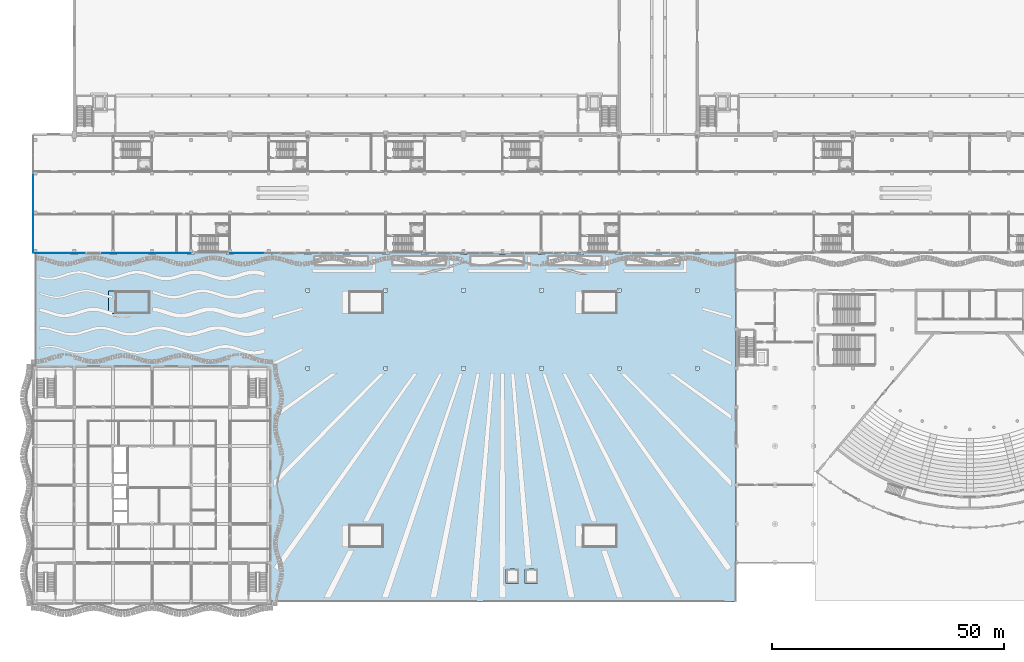
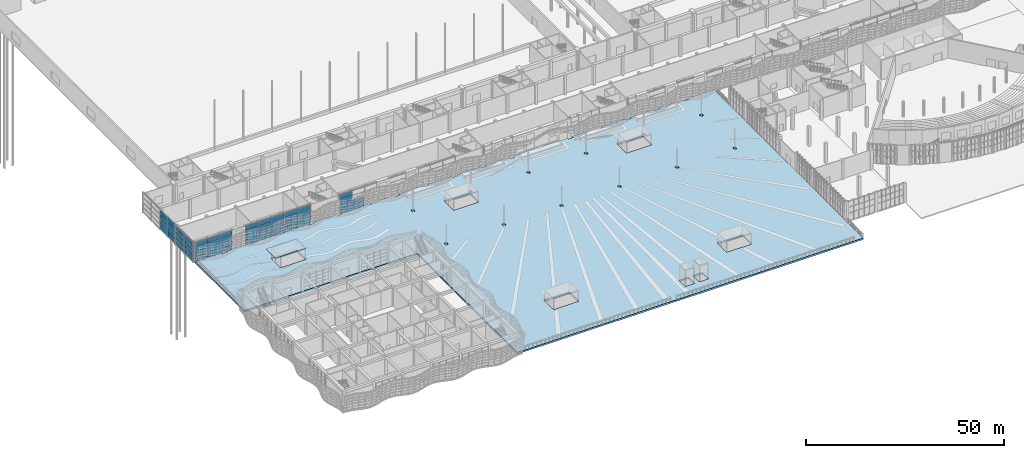
# One storey, part 81 of 210: 54 plates, 2 slabs, 5 elements without a shape of their own.
"""IFC4 building model written with IfcOpenShell, lengths in metres."""

from ifc_helpers import new_model, si_unit, direction, frame, origin, origin_2d, place, context, subcontext, project, spatial, polyline, rectangle, outline, extrude, material, layer, layer_set, type_object, element, aggregate, save


model = new_model("IFC4")

# Units and contexts
model_context = context("Model", 3, precision=1e-05, world=origin(), true_north=direction((0.0, 1.0)))
body_context = subcontext(model_context, "Body", "Model", "MODEL_VIEW")
ifc_project = project(units=[si_unit("LENGTHUNIT", "METRE"), si_unit("AREAUNIT", "SQUARE_METRE"), si_unit("VOLUMEUNIT", "CUBIC_METRE"), si_unit("PLANEANGLEUNIT", "RADIAN"), si_unit("MASSUNIT", "GRAM", prefix="KILO")], contexts=[model_context])

# Site, building, storey
site_placement = place(None, origin())
site = spatial("IfcSite", under=ifc_project, at=site_placement, CompositionType="ELEMENT")
building_placement = place(site_placement, origin())
building = spatial("IfcBuilding", under=site, at=building_placement, Name="Rain Tree Exposition and Congress Centre", CompositionType="ELEMENT")
storey_placement = place(building_placement, origin())
storey = spatial("IfcBuildingStorey", under=building, at=storey_placement, Name="L00", CompositionType="ELEMENT", Elevation=0.0)

# Curtain wall, plates
ifc_material_1 = material(Name="Aluminium curtain wall system", Category="aluminium")
ifc_layer_1 = layer(ifc_material_1, 0.10009765625)
ifc_layer_set_1 = layer_set([ifc_layer_1], Name="Aluminium curtain wall system")
curtain_wall_type = type_object("IfcCurtainWallType", Name="Concourse curtain wall 4200 module", PredefinedType="NOTDEFINED", material=ifc_layer_set_1)
curtain_wall_1_placement = place(storey_placement, origin())
curtain_wall_1 = element("IfcCurtainWall", 1, at=curtain_wall_1_placement, inside=storey, type_object=curtain_wall_type, Name="Concourse curtain wall CWC01", PredefinedType="NOTDEFINED")
ifc_material_2 = material(Name="Laminated low-e glass", Category="glass")
ifc_layer_2 = layer(ifc_material_2, 0.028076171875)
ifc_layer_set_2 = layer_set([ifc_layer_2], Name="Laminated low-e glass")
plate_type = type_object("IfcPlateType", Name="Concourse curtain wall glass panel 28", PredefinedType="CURTAIN_PANEL", material=ifc_layer_set_2)
plate_1_placement = place(storey_placement, frame((1.81494140625, 75.199951171875, 0.06005859375), z_axis=(0.0, 0.0, 1.0), x_axis=(1.0, 0.0, 0.0)))
plate_1 = element("IfcPlate", 2, at=plate_1_placement, type_object=plate_type, Name="CWC01 panel 1.1", PredefinedType="CURTAIN_PANEL", context=body_context, shape_type="SweptSolid", body=[
    extrude(rectangle(XDim=3.510009765625, YDim=0.028076171875, at=origin_2d()), origin(), (0.0, 0.0, 1.0), 1.409912109375),
])
plate_2_placement = place(storey_placement, frame((1.81494140625, 75.199951171875, 1.530029296875), z_axis=(0.0, 0.0, 1.0), x_axis=(1.0, 0.0, 0.0)))
plate_2 = element("IfcPlate", 3, at=plate_2_placement, type_object=plate_type, Name="CWC01 panel 1.2", PredefinedType="CURTAIN_PANEL", context=body_context, shape_type="SweptSolid", body=[
    extrude(rectangle(XDim=3.510009765625, YDim=0.028076171875, at=origin_2d()), origin(), (0.0, 0.0, 1.0), 1.43994140625),
])
plate_3_placement = place(storey_placement, frame((1.81494140625, 75.199951171875, 3.030029296875), z_axis=(0.0, 0.0, 1.0), x_axis=(1.0, 0.0, 0.0)))
plate_3 = element("IfcPlate", 4, at=plate_3_placement, type_object=plate_type, Name="CWC01 panel 1.3", PredefinedType="CURTAIN_PANEL", context=body_context, shape_type="SweptSolid", body=[
    extrude(rectangle(XDim=3.510009765625, YDim=0.028076171875, at=origin_2d()), origin(), (0.0, 0.0, 1.0), 1.43994140625),
])
plate_4_placement = place(storey_placement, frame((1.81494140625, 75.199951171875, 4.5302734375), z_axis=(0.0, 0.0, 1.0), x_axis=(1.0, 0.0, 0.0)))
plate_4 = element("IfcPlate", 5, at=plate_4_placement, type_object=plate_type, Name="CWC01 panel 1.4", PredefinedType="CURTAIN_PANEL", context=body_context, shape_type="SweptSolid", body=[
    extrude(rectangle(XDim=3.510009765625, YDim=0.028076171875, at=origin_2d()), origin(), (0.0, 0.0, 1.0), 1.409912109375),
])
plate_5_placement = place(storey_placement, frame((5.39990234375, 75.199951171875, 0.06005859375), z_axis=(0.0, 0.0, 1.0), x_axis=(1.0, 0.0, 0.0)))
plate_5 = element("IfcPlate", 6, at=plate_5_placement, type_object=plate_type, Name="CWC01 panel 2.1", PredefinedType="CURTAIN_PANEL", context=body_context, shape_type="SweptSolid", body=[
    extrude(rectangle(XDim=3.5400390625, YDim=0.028076171875, at=origin_2d()), origin(), (0.0, 0.0, 1.0), 1.409912109375),
])
plate_6_placement = place(storey_placement, frame((5.39990234375, 75.199951171875, 1.530029296875), z_axis=(0.0, 0.0, 1.0), x_axis=(1.0, 0.0, 0.0)))
plate_6 = element("IfcPlate", 7, at=plate_6_placement, type_object=plate_type, Name="CWC01 panel 2.2", PredefinedType="CURTAIN_PANEL", context=body_context, shape_type="SweptSolid", body=[
    extrude(rectangle(XDim=3.5400390625, YDim=0.028076171875, at=origin_2d()), origin(), (0.0, 0.0, 1.0), 1.43994140625),
])
plate_7_placement = place(storey_placement, frame((5.39990234375, 75.199951171875, 3.030029296875), z_axis=(0.0, 0.0, 1.0), x_axis=(1.0, 0.0, 0.0)))
plate_7 = element("IfcPlate", 8, at=plate_7_placement, type_object=plate_type, Name="CWC01 panel 2.3", PredefinedType="CURTAIN_PANEL", context=body_context, shape_type="SweptSolid", body=[
    extrude(rectangle(XDim=3.5400390625, YDim=0.028076171875, at=origin_2d()), origin(), (0.0, 0.0, 1.0), 1.43994140625),
])
plate_8_placement = place(storey_placement, frame((5.39990234375, 75.199951171875, 4.5302734375), z_axis=(0.0, 0.0, 1.0), x_axis=(1.0, 0.0, 0.0)))
plate_8 = element("IfcPlate", 9, at=plate_8_placement, type_object=plate_type, Name="CWC01 panel 2.4", PredefinedType="CURTAIN_PANEL", context=body_context, shape_type="SweptSolid", body=[
    extrude(rectangle(XDim=3.5400390625, YDim=0.028076171875, at=origin_2d()), origin(), (0.0, 0.0, 1.0), 1.409912109375),
])
plate_9_placement = place(storey_placement, frame((8.985107421875, 75.199951171875, 0.06005859375), z_axis=(0.0, 0.0, 1.0), x_axis=(1.0, 0.0, 0.0)))
plate_9 = element("IfcPlate", 10, at=plate_9_placement, type_object=plate_type, Name="CWC01 panel 3.1", PredefinedType="CURTAIN_PANEL", context=body_context, shape_type="SweptSolid", body=[
    extrude(rectangle(XDim=3.510009765625, YDim=0.028076171875, at=origin_2d()), origin(), (0.0, 0.0, 1.0), 1.409912109375),
])
plate_10_placement = place(storey_placement, frame((8.985107421875, 75.199951171875, 1.530029296875), z_axis=(0.0, 0.0, 1.0), x_axis=(1.0, 0.0, 0.0)))
plate_10 = element("IfcPlate", 11, at=plate_10_placement, type_object=plate_type, Name="CWC01 panel 3.2", PredefinedType="CURTAIN_PANEL", context=body_context, shape_type="SweptSolid", body=[
    extrude(rectangle(XDim=3.510009765625, YDim=0.028076171875, at=origin_2d()), origin(), (0.0, 0.0, 1.0), 1.43994140625),
])
plate_11_placement = place(storey_placement, frame((8.985107421875, 75.199951171875, 3.030029296875), z_axis=(0.0, 0.0, 1.0), x_axis=(1.0, 0.0, 0.0)))
plate_11 = element("IfcPlate", 12, at=plate_11_placement, type_object=plate_type, Name="CWC01 panel 3.3", PredefinedType="CURTAIN_PANEL", context=body_context, shape_type="SweptSolid", body=[
    extrude(rectangle(XDim=3.510009765625, YDim=0.028076171875, at=origin_2d()), origin(), (0.0, 0.0, 1.0), 1.43994140625),
])
plate_12_placement = place(storey_placement, frame((8.985107421875, 75.199951171875, 4.5302734375), z_axis=(0.0, 0.0, 1.0), x_axis=(1.0, 0.0, 0.0)))
plate_12 = element("IfcPlate", 13, at=plate_12_placement, type_object=plate_type, Name="CWC01 panel 3.4", PredefinedType="CURTAIN_PANEL", context=body_context, shape_type="SweptSolid", body=[
    extrude(rectangle(XDim=3.510009765625, YDim=0.028076171875, at=origin_2d()), origin(), (0.0, 0.0, 1.0), 1.409912109375),
])
aggregate(curtain_wall_1, [plate_1, plate_2, plate_3, plate_4, plate_5, plate_6, plate_7, plate_8, plate_9, plate_10, plate_11, plate_12])

curtain_wall_2_placement = place(storey_placement, origin())
curtain_wall_2 = element("IfcCurtainWall", 14, at=curtain_wall_2_placement, inside=storey, type_object=curtain_wall_type, Name="Concourse curtain wall CWC02", PredefinedType="NOTDEFINED")
plate_13_placement = place(storey_placement, frame((16.3349609375, 75.199951171875, 0.06005859375), z_axis=(0.0, 0.0, 1.0), x_axis=(1.0, 0.0, 0.0)))
plate_13 = element("IfcPlate", 15, at=plate_13_placement, type_object=plate_type, Name="CWC02 panel 1.1", PredefinedType="CURTAIN_PANEL", context=body_context, shape_type="SweptSolid", body=[
    extrude(rectangle(XDim=3.75, YDim=0.028076171875, at=origin_2d()), origin(), (0.0, 0.0, 1.0), 1.409912109375),
])
plate_14_placement = place(storey_placement, frame((16.3349609375, 75.199951171875, 1.530029296875), z_axis=(0.0, 0.0, 1.0), x_axis=(1.0, 0.0, 0.0)))
plate_14 = element("IfcPlate", 16, at=plate_14_placement, type_object=plate_type, Name="CWC02 panel 1.2", PredefinedType="CURTAIN_PANEL", context=body_context, shape_type="SweptSolid", body=[
    extrude(rectangle(XDim=3.75, YDim=0.028076171875, at=origin_2d()), origin(), (0.0, 0.0, 1.0), 1.43994140625),
])
plate_15_placement = place(storey_placement, frame((16.3349609375, 75.199951171875, 3.030029296875), z_axis=(0.0, 0.0, 1.0), x_axis=(1.0, 0.0, 0.0)))
plate_15 = element("IfcPlate", 17, at=plate_15_placement, type_object=plate_type, Name="CWC02 panel 1.3", PredefinedType="CURTAIN_PANEL", context=body_context, shape_type="SweptSolid", body=[
    extrude(rectangle(XDim=3.75, YDim=0.028076171875, at=origin_2d()), origin(), (0.0, 0.0, 1.0), 1.43994140625),
])
plate_16_placement = place(storey_placement, frame((16.3349609375, 75.199951171875, 4.5302734375), z_axis=(0.0, 0.0, 1.0), x_axis=(1.0, 0.0, 0.0)))
plate_16 = element("IfcPlate", 18, at=plate_16_placement, type_object=plate_type, Name="CWC02 panel 1.4", PredefinedType="CURTAIN_PANEL", context=body_context, shape_type="SweptSolid", body=[
    extrude(rectangle(XDim=3.75, YDim=0.028076171875, at=origin_2d()), origin(), (0.0, 0.0, 1.0), 1.409912109375),
])
plate_17_placement = place(storey_placement, frame((20.159912109375, 75.199951171875, 0.06005859375), z_axis=(0.0, 0.0, 1.0), x_axis=(1.0, 0.0, 0.0)))
plate_17 = element("IfcPlate", 19, at=plate_17_placement, type_object=plate_type, Name="CWC02 panel 2.1", PredefinedType="CURTAIN_PANEL", context=body_context, shape_type="SweptSolid", body=[
    extrude(rectangle(XDim=3.780029296875, YDim=0.028076171875, at=origin_2d()), origin(), (0.0, 0.0, 1.0), 1.409912109375),
])
plate_18_placement = place(storey_placement, frame((20.159912109375, 75.199951171875, 1.530029296875), z_axis=(0.0, 0.0, 1.0), x_axis=(1.0, 0.0, 0.0)))
plate_18 = element("IfcPlate", 20, at=plate_18_placement, type_object=plate_type, Name="CWC02 panel 2.2", PredefinedType="CURTAIN_PANEL", context=body_context, shape_type="SweptSolid", body=[
    extrude(rectangle(XDim=3.780029296875, YDim=0.028076171875, at=origin_2d()), origin(), (0.0, 0.0, 1.0), 1.43994140625),
])
plate_19_placement = place(storey_placement, frame((20.159912109375, 75.199951171875, 3.030029296875), z_axis=(0.0, 0.0, 1.0), x_axis=(1.0, 0.0, 0.0)))
plate_19 = element("IfcPlate", 21, at=plate_19_placement, type_object=plate_type, Name="CWC02 panel 2.3", PredefinedType="CURTAIN_PANEL", context=body_context, shape_type="SweptSolid", body=[
    extrude(rectangle(XDim=3.780029296875, YDim=0.028076171875, at=origin_2d()), origin(), (0.0, 0.0, 1.0), 1.43994140625),
])
plate_20_placement = place(storey_placement, frame((20.159912109375, 75.199951171875, 4.5302734375), z_axis=(0.0, 0.0, 1.0), x_axis=(1.0, 0.0, 0.0)))
plate_20 = element("IfcPlate", 22, at=plate_20_placement, type_object=plate_type, Name="CWC02 panel 2.4", PredefinedType="CURTAIN_PANEL", context=body_context, shape_type="SweptSolid", body=[
    extrude(rectangle(XDim=3.780029296875, YDim=0.028076171875, at=origin_2d()), origin(), (0.0, 0.0, 1.0), 1.409912109375),
])
plate_21_placement = place(storey_placement, frame((24.0, 75.199951171875, 0.06005859375), z_axis=(0.0, 0.0, 1.0), x_axis=(1.0, 0.0, 0.0)))
plate_21 = element("IfcPlate", 23, at=plate_21_placement, type_object=plate_type, Name="CWC02 panel 3.1", PredefinedType="CURTAIN_PANEL", context=body_context, shape_type="SweptSolid", body=[
    extrude(rectangle(XDim=3.780029296875, YDim=0.028076171875, at=origin_2d()), origin(), (0.0, 0.0, 1.0), 1.409912109375),
])
plate_22_placement = place(storey_placement, frame((24.0, 75.199951171875, 1.530029296875), z_axis=(0.0, 0.0, 1.0), x_axis=(1.0, 0.0, 0.0)))
plate_22 = element("IfcPlate", 24, at=plate_22_placement, type_object=plate_type, Name="CWC02 panel 3.2", PredefinedType="CURTAIN_PANEL", context=body_context, shape_type="SweptSolid", body=[
    extrude(rectangle(XDim=3.780029296875, YDim=0.028076171875, at=origin_2d()), origin(), (0.0, 0.0, 1.0), 1.43994140625),
])
plate_23_placement = place(storey_placement, frame((24.0, 75.199951171875, 3.030029296875), z_axis=(0.0, 0.0, 1.0), x_axis=(1.0, 0.0, 0.0)))
plate_23 = element("IfcPlate", 25, at=plate_23_placement, type_object=plate_type, Name="CWC02 panel 3.3", PredefinedType="CURTAIN_PANEL", context=body_context, shape_type="SweptSolid", body=[
    extrude(rectangle(XDim=3.780029296875, YDim=0.028076171875, at=origin_2d()), origin(), (0.0, 0.0, 1.0), 1.43994140625),
])
plate_24_placement = place(storey_placement, frame((24.0, 75.199951171875, 4.5302734375), z_axis=(0.0, 0.0, 1.0), x_axis=(1.0, 0.0, 0.0)))
plate_24 = element("IfcPlate", 26, at=plate_24_placement, type_object=plate_type, Name="CWC02 panel 3.4", PredefinedType="CURTAIN_PANEL", context=body_context, shape_type="SweptSolid", body=[
    extrude(rectangle(XDim=3.780029296875, YDim=0.028076171875, at=origin_2d()), origin(), (0.0, 0.0, 1.0), 1.409912109375),
])
plate_25_placement = place(storey_placement, frame((27.840087890625, 75.199951171875, 0.06005859375), z_axis=(0.0, 0.0, 1.0), x_axis=(1.0, 0.0, 0.0)))
plate_25 = element("IfcPlate", 27, at=plate_25_placement, type_object=plate_type, Name="CWC02 panel 4.1", PredefinedType="CURTAIN_PANEL", context=body_context, shape_type="SweptSolid", body=[
    extrude(rectangle(XDim=3.780029296875, YDim=0.028076171875, at=origin_2d()), origin(), (0.0, 0.0, 1.0), 1.409912109375),
])
plate_26_placement = place(storey_placement, frame((27.840087890625, 75.199951171875, 1.530029296875), z_axis=(0.0, 0.0, 1.0), x_axis=(1.0, 0.0, 0.0)))
plate_26 = element("IfcPlate", 28, at=plate_26_placement, type_object=plate_type, Name="CWC02 panel 4.2", PredefinedType="CURTAIN_PANEL", context=body_context, shape_type="SweptSolid", body=[
    extrude(rectangle(XDim=3.780029296875, YDim=0.028076171875, at=origin_2d()), origin(), (0.0, 0.0, 1.0), 1.43994140625),
])
plate_27_placement = place(storey_placement, frame((27.840087890625, 75.199951171875, 3.030029296875), z_axis=(0.0, 0.0, 1.0), x_axis=(1.0, 0.0, 0.0)))
plate_27 = element("IfcPlate", 29, at=plate_27_placement, type_object=plate_type, Name="CWC02 panel 4.3", PredefinedType="CURTAIN_PANEL", context=body_context, shape_type="SweptSolid", body=[
    extrude(rectangle(XDim=3.780029296875, YDim=0.028076171875, at=origin_2d()), origin(), (0.0, 0.0, 1.0), 1.43994140625),
])
plate_28_placement = place(storey_placement, frame((27.840087890625, 75.199951171875, 4.5302734375), z_axis=(0.0, 0.0, 1.0), x_axis=(1.0, 0.0, 0.0)))
plate_28 = element("IfcPlate", 30, at=plate_28_placement, type_object=plate_type, Name="CWC02 panel 4.4", PredefinedType="CURTAIN_PANEL", context=body_context, shape_type="SweptSolid", body=[
    extrude(rectangle(XDim=3.780029296875, YDim=0.028076171875, at=origin_2d()), origin(), (0.0, 0.0, 1.0), 1.409912109375),
])
plate_29_placement = place(storey_placement, frame((31.6650390625, 75.199951171875, 0.06005859375), z_axis=(0.0, 0.0, 1.0), x_axis=(1.0, 0.0, 0.0)))
plate_29 = element("IfcPlate", 31, at=plate_29_placement, type_object=plate_type, Name="CWC02 panel 5.1", PredefinedType="CURTAIN_PANEL", context=body_context, shape_type="SweptSolid", body=[
    extrude(rectangle(XDim=3.75, YDim=0.028076171875, at=origin_2d()), origin(), (0.0, 0.0, 1.0), 1.409912109375),
])
plate_30_placement = place(storey_placement, frame((31.6650390625, 75.199951171875, 1.530029296875), z_axis=(0.0, 0.0, 1.0), x_axis=(1.0, 0.0, 0.0)))
plate_30 = element("IfcPlate", 32, at=plate_30_placement, type_object=plate_type, Name="CWC02 panel 5.2", PredefinedType="CURTAIN_PANEL", context=body_context, shape_type="SweptSolid", body=[
    extrude(rectangle(XDim=3.75, YDim=0.028076171875, at=origin_2d()), origin(), (0.0, 0.0, 1.0), 1.43994140625),
])
plate_31_placement = place(storey_placement, frame((31.6650390625, 75.199951171875, 3.030029296875), z_axis=(0.0, 0.0, 1.0), x_axis=(1.0, 0.0, 0.0)))
plate_31 = element("IfcPlate", 33, at=plate_31_placement, type_object=plate_type, Name="CWC02 panel 5.3", PredefinedType="CURTAIN_PANEL", context=body_context, shape_type="SweptSolid", body=[
    extrude(rectangle(XDim=3.75, YDim=0.028076171875, at=origin_2d()), origin(), (0.0, 0.0, 1.0), 1.43994140625),
])
plate_32_placement = place(storey_placement, frame((31.6650390625, 75.199951171875, 4.5302734375), z_axis=(0.0, 0.0, 1.0), x_axis=(1.0, 0.0, 0.0)))
plate_32 = element("IfcPlate", 34, at=plate_32_placement, type_object=plate_type, Name="CWC02 panel 5.4", PredefinedType="CURTAIN_PANEL", context=body_context, shape_type="SweptSolid", body=[
    extrude(rectangle(XDim=3.75, YDim=0.028076171875, at=origin_2d()), origin(), (0.0, 0.0, 1.0), 1.409912109375),
])
aggregate(curtain_wall_2, [plate_13, plate_14, plate_15, plate_16, plate_17, plate_18, plate_19, plate_20, plate_21, plate_22, plate_23, plate_24, plate_25, plate_26, plate_27, plate_28, plate_29, plate_30, plate_31, plate_32])

curtain_wall_3_placement = place(storey_placement, origin())
curtain_wall_3 = element("IfcCurtainWall", 35, at=curtain_wall_3_placement, inside=storey, type_object=curtain_wall_type, Name="Concourse curtain wall CWC03", PredefinedType="NOTDEFINED")
plate_33_placement = place(storey_placement, frame((43.81494140625, 75.199951171875, 0.06005859375), z_axis=(0.0, 0.0, 1.0), x_axis=(1.0, 0.0, 0.0)))
plate_33 = element("IfcPlate", 36, at=plate_33_placement, type_object=plate_type, Name="CWC03 panel 1.1", PredefinedType="CURTAIN_PANEL", context=body_context, shape_type="SweptSolid", body=[
    extrude(rectangle(XDim=3.510009765625, YDim=0.028076171875, at=origin_2d()), origin(), (0.0, 0.0, 1.0), 1.409912109375),
])
plate_34_placement = place(storey_placement, frame((43.81494140625, 75.199951171875, 1.530029296875), z_axis=(0.0, 0.0, 1.0), x_axis=(1.0, 0.0, 0.0)))
plate_34 = element("IfcPlate", 37, at=plate_34_placement, type_object=plate_type, Name="CWC03 panel 1.2", PredefinedType="CURTAIN_PANEL", context=body_context, shape_type="SweptSolid", body=[
    extrude(rectangle(XDim=3.510009765625, YDim=0.028076171875, at=origin_2d()), origin(), (0.0, 0.0, 1.0), 1.43994140625),
])
plate_35_placement = place(storey_placement, frame((43.81494140625, 75.199951171875, 3.030029296875), z_axis=(0.0, 0.0, 1.0), x_axis=(1.0, 0.0, 0.0)))
plate_35 = element("IfcPlate", 38, at=plate_35_placement, type_object=plate_type, Name="CWC03 panel 1.3", PredefinedType="CURTAIN_PANEL", context=body_context, shape_type="SweptSolid", body=[
    extrude(rectangle(XDim=3.510009765625, YDim=0.028076171875, at=origin_2d()), origin(), (0.0, 0.0, 1.0), 1.43994140625),
])
plate_36_placement = place(storey_placement, frame((43.81494140625, 75.199951171875, 4.5302734375), z_axis=(0.0, 0.0, 1.0), x_axis=(1.0, 0.0, 0.0)))
plate_36 = element("IfcPlate", 39, at=plate_36_placement, type_object=plate_type, Name="CWC03 panel 1.4", PredefinedType="CURTAIN_PANEL", context=body_context, shape_type="SweptSolid", body=[
    extrude(rectangle(XDim=3.510009765625, YDim=0.028076171875, at=origin_2d()), origin(), (0.0, 0.0, 1.0), 1.409912109375),
])
plate_37_placement = place(storey_placement, frame((47.39990234375, 75.199951171875, 0.06005859375), z_axis=(0.0, 0.0, 1.0), x_axis=(1.0, 0.0, 0.0)))
plate_37 = element("IfcPlate", 40, at=plate_37_placement, type_object=plate_type, Name="CWC03 panel 2.1", PredefinedType="CURTAIN_PANEL", context=body_context, shape_type="SweptSolid", body=[
    extrude(rectangle(XDim=3.5400390625, YDim=0.028076171875, at=origin_2d()), origin(), (0.0, 0.0, 1.0), 1.409912109375),
])
plate_38_placement = place(storey_placement, frame((47.39990234375, 75.199951171875, 1.530029296875), z_axis=(0.0, 0.0, 1.0), x_axis=(1.0, 0.0, 0.0)))
plate_38 = element("IfcPlate", 41, at=plate_38_placement, type_object=plate_type, Name="CWC03 panel 2.2", PredefinedType="CURTAIN_PANEL", context=body_context, shape_type="SweptSolid", body=[
    extrude(rectangle(XDim=3.5400390625, YDim=0.028076171875, at=origin_2d()), origin(), (0.0, 0.0, 1.0), 1.43994140625),
])
aggregate(curtain_wall_3, [plate_33, plate_34, plate_35, plate_36, plate_37, plate_38])

curtain_wall_4_placement = place(storey_placement, origin())
curtain_wall_4 = element("IfcCurtainWall", 42, at=curtain_wall_4_placement, inside=storey, type_object=curtain_wall_type, Name="Concourse curtain wall CWC29", PredefinedType="NOTDEFINED")
plate_39_placement = place(storey_placement, frame((-0.39990234375, 77.465087890625, 0.06005859375), z_axis=(0.0, 0.0, 1.0), x_axis=(0.0, 1.0, 0.0)))
plate_39 = element("IfcPlate", 43, at=plate_39_placement, type_object=plate_type, Name="CWC29 panel 1.1", PredefinedType="CURTAIN_PANEL", context=body_context, shape_type="SweptSolid", body=[
    extrude(rectangle(XDim=4.31005859375, YDim=0.028076171875, at=origin_2d()), origin(), (0.0, 0.0, 1.0), 1.409912109375),
])
plate_40_placement = place(storey_placement, frame((-0.39990234375, 77.465087890625, 1.530029296875), z_axis=(0.0, 0.0, 1.0), x_axis=(0.0, 1.0, 0.0)))
plate_40 = element("IfcPlate", 44, at=plate_40_placement, type_object=plate_type, Name="CWC29 panel 1.2", PredefinedType="CURTAIN_PANEL", context=body_context, shape_type="SweptSolid", body=[
    extrude(rectangle(XDim=4.31005859375, YDim=0.028076171875, at=origin_2d()), origin(), (0.0, 0.0, 1.0), 1.43994140625),
])
plate_41_placement = place(storey_placement, frame((-0.39990234375, 77.465087890625, 3.030029296875), z_axis=(0.0, 0.0, 1.0), x_axis=(0.0, 1.0, 0.0)))
plate_41 = element("IfcPlate", 45, at=plate_41_placement, type_object=plate_type, Name="CWC29 panel 1.3", PredefinedType="CURTAIN_PANEL", context=body_context, shape_type="SweptSolid", body=[
    extrude(rectangle(XDim=4.31005859375, YDim=0.028076171875, at=origin_2d()), origin(), (0.0, 0.0, 1.0), 1.43994140625),
])
plate_42_placement = place(storey_placement, frame((-0.39990234375, 77.465087890625, 4.5302734375), z_axis=(0.0, 0.0, 1.0), x_axis=(0.0, 1.0, 0.0)))
plate_42 = element("IfcPlate", 46, at=plate_42_placement, type_object=plate_type, Name="CWC29 panel 1.4", PredefinedType="CURTAIN_PANEL", context=body_context, shape_type="SweptSolid", body=[
    extrude(rectangle(XDim=4.31005859375, YDim=0.028076171875, at=origin_2d()), origin(), (0.0, 0.0, 1.0), 1.409912109375),
])
plate_43_placement = place(storey_placement, frame((-0.39990234375, 81.8349609375, 0.06005859375), z_axis=(0.0, 0.0, 1.0), x_axis=(0.0, 1.0, 0.0)))
plate_43 = element("IfcPlate", 47, at=plate_43_placement, type_object=plate_type, Name="CWC29 panel 2.1", PredefinedType="CURTAIN_PANEL", context=body_context, shape_type="SweptSolid", body=[
    extrude(rectangle(XDim=4.31005859375, YDim=0.028076171875, at=origin_2d()), origin(), (0.0, 0.0, 1.0), 1.409912109375),
])
plate_44_placement = place(storey_placement, frame((-0.39990234375, 81.8349609375, 1.530029296875), z_axis=(0.0, 0.0, 1.0), x_axis=(0.0, 1.0, 0.0)))
plate_44 = element("IfcPlate", 48, at=plate_44_placement, type_object=plate_type, Name="CWC29 panel 2.2", PredefinedType="CURTAIN_PANEL", context=body_context, shape_type="SweptSolid", body=[
    extrude(rectangle(XDim=4.31005859375, YDim=0.028076171875, at=origin_2d()), origin(), (0.0, 0.0, 1.0), 1.43994140625),
])
plate_45_placement = place(storey_placement, frame((-0.39990234375, 81.8349609375, 3.030029296875), z_axis=(0.0, 0.0, 1.0), x_axis=(0.0, 1.0, 0.0)))
plate_45 = element("IfcPlate", 49, at=plate_45_placement, type_object=plate_type, Name="CWC29 panel 2.3", PredefinedType="CURTAIN_PANEL", context=body_context, shape_type="SweptSolid", body=[
    extrude(rectangle(XDim=4.31005859375, YDim=0.028076171875, at=origin_2d()), origin(), (0.0, 0.0, 1.0), 1.43994140625),
])
plate_46_placement = place(storey_placement, frame((-0.39990234375, 81.8349609375, 4.5302734375), z_axis=(0.0, 0.0, 1.0), x_axis=(0.0, 1.0, 0.0)))
plate_46 = element("IfcPlate", 50, at=plate_46_placement, type_object=plate_type, Name="CWC29 panel 2.4", PredefinedType="CURTAIN_PANEL", context=body_context, shape_type="SweptSolid", body=[
    extrude(rectangle(XDim=4.31005859375, YDim=0.028076171875, at=origin_2d()), origin(), (0.0, 0.0, 1.0), 1.409912109375),
])
aggregate(curtain_wall_4, [plate_39, plate_40, plate_41, plate_42, plate_43, plate_44, plate_45, plate_46])

curtain_wall_5_placement = place(storey_placement, origin())
curtain_wall_5 = element("IfcCurtainWall", 51, at=curtain_wall_5_placement, inside=storey, type_object=curtain_wall_type, Name="Concourse curtain wall CWC30", PredefinedType="NOTDEFINED")
plate_47_placement = place(storey_placement, frame((-0.39990234375, 86.2900390625, 0.06005859375), z_axis=(0.0, 0.0, 1.0), x_axis=(0.0, 1.0, 0.0)))
plate_47 = element("IfcPlate", 52, at=plate_47_placement, type_object=plate_type, Name="CWC30 panel 1.1", PredefinedType="CURTAIN_PANEL", context=body_context, shape_type="SweptSolid", body=[
    extrude(rectangle(XDim=3.760009765625, YDim=0.028076171875, at=origin_2d()), origin(), (0.0, 0.0, 1.0), 1.409912109375),
])
plate_48_placement = place(storey_placement, frame((-0.39990234375, 86.2900390625, 1.530029296875), z_axis=(0.0, 0.0, 1.0), x_axis=(0.0, 1.0, 0.0)))
plate_48 = element("IfcPlate", 53, at=plate_48_placement, type_object=plate_type, Name="CWC30 panel 1.2", PredefinedType="CURTAIN_PANEL", context=body_context, shape_type="SweptSolid", body=[
    extrude(rectangle(XDim=3.760009765625, YDim=0.028076171875, at=origin_2d()), origin(), (0.0, 0.0, 1.0), 1.43994140625),
])
plate_49_placement = place(storey_placement, frame((-0.39990234375, 86.2900390625, 3.030029296875), z_axis=(0.0, 0.0, 1.0), x_axis=(0.0, 1.0, 0.0)))
plate_49 = element("IfcPlate", 54, at=plate_49_placement, type_object=plate_type, Name="CWC30 panel 1.3", PredefinedType="CURTAIN_PANEL", context=body_context, shape_type="SweptSolid", body=[
    extrude(rectangle(XDim=3.760009765625, YDim=0.028076171875, at=origin_2d()), origin(), (0.0, 0.0, 1.0), 1.43994140625),
])
plate_50_placement = place(storey_placement, frame((-0.39990234375, 86.2900390625, 4.5302734375), z_axis=(0.0, 0.0, 1.0), x_axis=(0.0, 1.0, 0.0)))
plate_50 = element("IfcPlate", 55, at=plate_50_placement, type_object=plate_type, Name="CWC30 panel 1.4", PredefinedType="CURTAIN_PANEL", context=body_context, shape_type="SweptSolid", body=[
    extrude(rectangle(XDim=3.760009765625, YDim=0.028076171875, at=origin_2d()), origin(), (0.0, 0.0, 1.0), 1.409912109375),
])
plate_51_placement = place(storey_placement, frame((-0.39990234375, 90.110107421875, 0.06005859375), z_axis=(0.0, 0.0, 1.0), x_axis=(0.0, 1.0, 0.0)))
plate_51 = element("IfcPlate", 56, at=plate_51_placement, type_object=plate_type, Name="CWC30 panel 2.1", PredefinedType="CURTAIN_PANEL", context=body_context, shape_type="SweptSolid", body=[
    extrude(rectangle(XDim=3.760009765625, YDim=0.028076171875, at=origin_2d()), origin(), (0.0, 0.0, 1.0), 1.409912109375),
])
plate_52_placement = place(storey_placement, frame((-0.39990234375, 90.110107421875, 1.530029296875), z_axis=(0.0, 0.0, 1.0), x_axis=(0.0, 1.0, 0.0)))
plate_52 = element("IfcPlate", 57, at=plate_52_placement, type_object=plate_type, Name="CWC30 panel 2.2", PredefinedType="CURTAIN_PANEL", context=body_context, shape_type="SweptSolid", body=[
    extrude(rectangle(XDim=3.760009765625, YDim=0.028076171875, at=origin_2d()), origin(), (0.0, 0.0, 1.0), 1.43994140625),
])
plate_53_placement = place(storey_placement, frame((-0.39990234375, 90.110107421875, 3.030029296875), z_axis=(0.0, 0.0, 1.0), x_axis=(0.0, 1.0, 0.0)))
plate_53 = element("IfcPlate", 58, at=plate_53_placement, type_object=plate_type, Name="CWC30 panel 2.3", PredefinedType="CURTAIN_PANEL", context=body_context, shape_type="SweptSolid", body=[
    extrude(rectangle(XDim=3.760009765625, YDim=0.028076171875, at=origin_2d()), origin(), (0.0, 0.0, 1.0), 1.43994140625),
])
plate_54_placement = place(storey_placement, frame((-0.39990234375, 90.110107421875, 4.5302734375), z_axis=(0.0, 0.0, 1.0), x_axis=(0.0, 1.0, 0.0)))
plate_54 = element("IfcPlate", 59, at=plate_54_placement, type_object=plate_type, Name="CWC30 panel 2.4", PredefinedType="CURTAIN_PANEL", context=body_context, shape_type="SweptSolid", body=[
    extrude(rectangle(XDim=3.760009765625, YDim=0.028076171875, at=origin_2d()), origin(), (0.0, 0.0, 1.0), 1.409912109375),
])
aggregate(curtain_wall_5, [plate_47, plate_48, plate_49, plate_50, plate_51, plate_52, plate_53, plate_54])

# Slabs
ifc_material_3 = material(Name="Concrete C40/50", Category="concrete")
ifc_layer_3 = layer(ifc_material_3, 0.25)
ifc_layer_set_3 = layer_set([ifc_layer_3], Name="Concrete C40/50")
slab_type_1 = type_object("IfcSlabType", Name="Lift roof slab 250", PredefinedType="ROOF", material=ifc_layer_set_3)
slab_1_placement = place(storey_placement, frame((0.0, 0.0, 3.199951171875)))
element("IfcSlab", 60, at=slab_1_placement, inside=storey, type_object=slab_type_1, Name="Exit stair E5 roof and entrance canopy", PredefinedType="ROOF", context=body_context, shape_type="SweptSolid", body=[
    extrude(outline(polyline([(15.800048828125, 62.199951171875), (24.699951171875, 62.199951171875), (24.699951171875, 67.0), (15.800048828125, 67.0), (15.800048828125, 62.199951171875)])), origin(), (0.0, 0.0, 1.0), 0.25),
])
ifc_material_4 = material(Name="Precast concrete C50/60", Category="concrete")
ifc_layer_4 = layer(ifc_material_4, 0.5)
ifc_layer_set_4 = layer_set([ifc_layer_4], Name="Precast concrete C50/60")
slab_type_2 = type_object("IfcSlabType", Name="Post-tensioned flat slab 500", PredefinedType="FLOOR", material=ifc_layer_set_4)
slab_2_placement = place(storey_placement, frame((0.0, 0.0, -0.5)))
element("IfcSlab", 61, at=slab_2_placement, inside=storey, type_object=slab_type_2, Name="Forecourt deck 1", PredefinedType="FLOOR", context=body_context, shape_type="SweptSolid", body=[
    extrude(outline(polyline([(151.199951171875, 75.39990234375), (143.5, 75.39990234375), (143.5, 74.89990234375), (142.10009765625, 74.89990234375), (142.10009765625, 75.39990234375), (135.10009765625, 75.39990234375), (135.10009765625, 74.89990234375), (133.699951171875, 74.89990234375), (133.699951171875, 75.39990234375), (126.699951171875, 75.39990234375), (126.699951171875, 74.89990234375), (125.300048828125, 74.89990234375), (125.300048828125, 75.39990234375), (118.300048828125, 75.39990234375), (118.300048828125, 74.89990234375), (116.89990234375, 74.89990234375), (116.89990234375, 75.39990234375), (109.89990234375, 75.39990234375), (109.89990234375, 74.89990234375), (108.5, 74.89990234375), (108.5, 75.39990234375), (101.5, 75.39990234375), (101.5, 74.89990234375), (100.10009765625, 74.89990234375), (100.10009765625, 75.39990234375), (93.10009765625, 75.39990234375), (93.10009765625, 74.89990234375), (91.699951171875, 74.89990234375), (91.699951171875, 75.39990234375), (84.699951171875, 75.39990234375), (84.699951171875, 74.89990234375), (83.300048828125, 74.89990234375), (83.300048828125, 75.39990234375), (76.300048828125, 75.39990234375), (76.300048828125, 74.89990234375), (74.89990234375, 74.89990234375), (74.89990234375, 75.39990234375), (67.89990234375, 75.39990234375), (67.89990234375, 74.89990234375), (66.5, 74.89990234375), (66.5, 75.39990234375), (59.5, 75.39990234375), (59.5, 74.89990234375), (58.10009765625, 74.89990234375), (58.10009765625, 75.39990234375), (51.10009765625, 75.39990234375), (51.10009765625, 74.89990234375), (51.0, 74.89990234375), (51.0, 75.39990234375), (50.39990234375, 75.39990234375), (42.699951171875, 75.39990234375), (42.699951171875, 74.89990234375), (41.300048828125, 74.89990234375), (41.300048828125, 75.39990234375), (34.300048828125, 75.39990234375), (34.300048828125, 74.89990234375), (32.89990234375, 74.89990234375), (32.89990234375, 75.39990234375), (25.89990234375, 75.39990234375), (25.89990234375, 74.89990234375), (24.5, 74.89990234375), (24.5, 75.39990234375), (17.5, 75.39990234375), (17.5, 74.89990234375), (16.10009765625, 74.89990234375), (16.10009765625, 75.39990234375), (9.10009765625, 75.39990234375), (9.10009765625, 74.89990234375), (7.699951171875, 74.89990234375), (7.699951171875, 75.39990234375), (0.0, 75.39990234375), (0.0, 50.39990234375), (50.39990234375, 50.39990234375), (50.39990234375, 0.0), (151.199951171875, 0.0), (151.199951171875, 75.39990234375)]), holes=[polyline([(101.60009765625, 7.10009765625), (101.60009765625, 4.0), (104.300048828125, 4.0), (104.300048828125, 7.10009765625), (101.60009765625, 7.10009765625)]), polyline([(108.39990234375, 7.10009765625), (105.699951171875, 7.10009765625), (105.699951171875, 4.0), (108.39990234375, 4.0), (108.39990234375, 7.10009765625)]), polyline([(75.10009765625, 16.60009765625), (67.699951171875, 16.60009765625), (67.699951171875, 11.800048828125), (75.10009765625, 11.800048828125), (75.10009765625, 16.60009765625)]), polyline([(59.199951171875, 50.800048828125), (58.39990234375, 50.800048828125), (58.39990234375, 50.0), (59.199951171875, 50.0), (59.199951171875, 50.800048828125)]), polyline([(76.0, 50.800048828125), (75.199951171875, 50.800048828125), (75.199951171875, 50.0), (76.0, 50.0), (76.0, 50.800048828125)]), polyline([(92.800048828125, 50.800048828125), (92.0, 50.800048828125), (92.0, 50.0), (92.800048828125, 50.0), (92.800048828125, 50.800048828125)]), polyline([(109.60009765625, 50.800048828125), (108.800048828125, 50.800048828125), (108.800048828125, 50.0), (109.60009765625, 50.0), (109.60009765625, 50.800048828125)]), polyline([(24.699951171875, 67.0), (17.300048828125, 67.0), (17.300048828125, 62.199951171875), (24.699951171875, 62.199951171875), (24.699951171875, 67.0)]), polyline([(75.10009765625, 67.0), (67.699951171875, 67.0), (67.699951171875, 62.199951171875), (75.10009765625, 62.199951171875), (75.10009765625, 67.0)]), polyline([(59.199951171875, 67.60009765625), (58.39990234375, 67.60009765625), (58.39990234375, 66.800048828125), (59.199951171875, 66.800048828125), (59.199951171875, 67.60009765625)]), polyline([(76.0, 67.60009765625), (75.199951171875, 67.60009765625), (75.199951171875, 66.800048828125), (76.0, 66.800048828125), (76.0, 67.60009765625)]), polyline([(92.800048828125, 67.60009765625), (92.0, 67.60009765625), (92.0, 66.800048828125), (92.800048828125, 66.800048828125), (92.800048828125, 67.60009765625)]), polyline([(109.60009765625, 67.60009765625), (108.800048828125, 67.60009765625), (108.800048828125, 66.800048828125), (109.60009765625, 66.800048828125), (109.60009765625, 67.60009765625)]), polyline([(125.5, 16.60009765625), (118.10009765625, 16.60009765625), (118.10009765625, 11.800048828125), (125.5, 11.800048828125), (125.5, 16.60009765625)]), polyline([(126.39990234375, 50.800048828125), (125.60009765625, 50.800048828125), (125.60009765625, 50.0), (126.39990234375, 50.0), (126.39990234375, 50.800048828125)]), polyline([(143.199951171875, 50.800048828125), (142.39990234375, 50.800048828125), (142.39990234375, 50.0), (143.199951171875, 50.0), (143.199951171875, 50.800048828125)]), polyline([(125.5, 67.0), (118.10009765625, 67.0), (118.10009765625, 62.199951171875), (125.5, 62.199951171875), (125.5, 67.0)]), polyline([(126.39990234375, 67.60009765625), (125.60009765625, 67.60009765625), (125.60009765625, 66.800048828125), (126.39990234375, 66.800048828125), (126.39990234375, 67.60009765625)]), polyline([(143.199951171875, 67.60009765625), (142.39990234375, 67.60009765625), (142.39990234375, 66.800048828125), (143.199951171875, 66.800048828125), (143.199951171875, 67.60009765625)])]), origin(), (0.0, 0.0, 1.0), 0.5),
])

save(model, "model.ifc")
